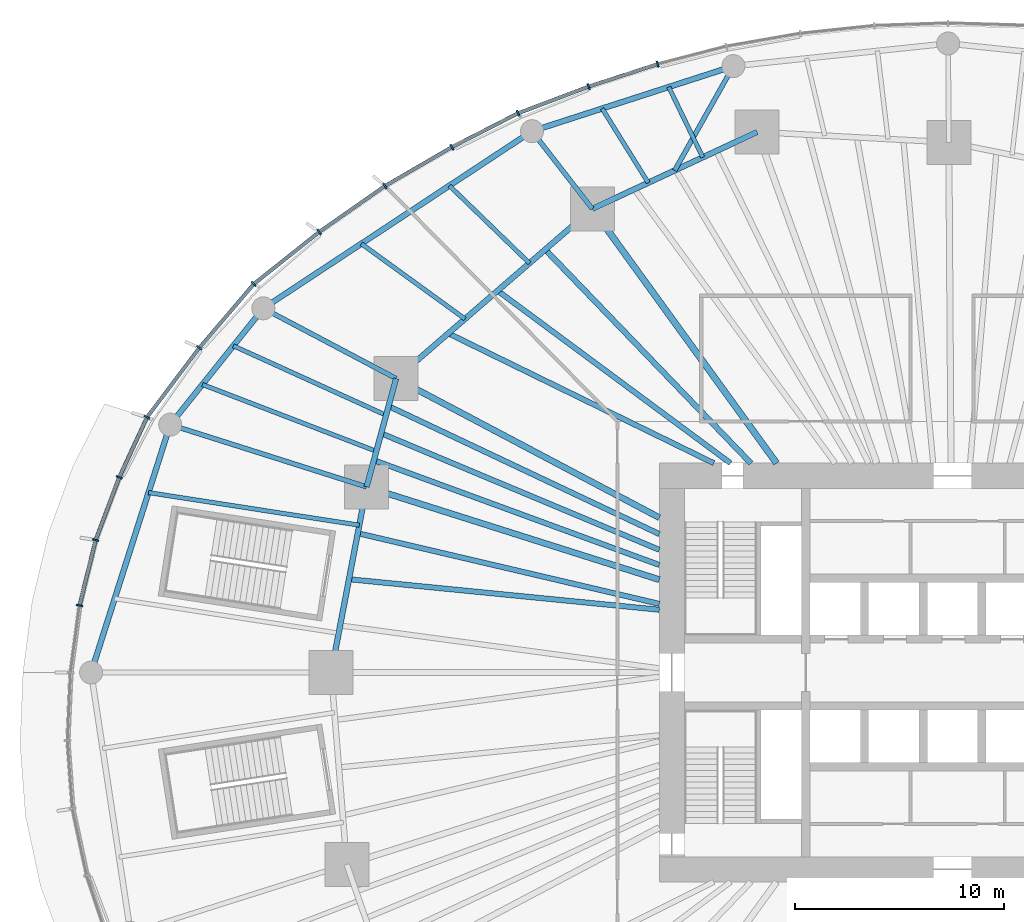
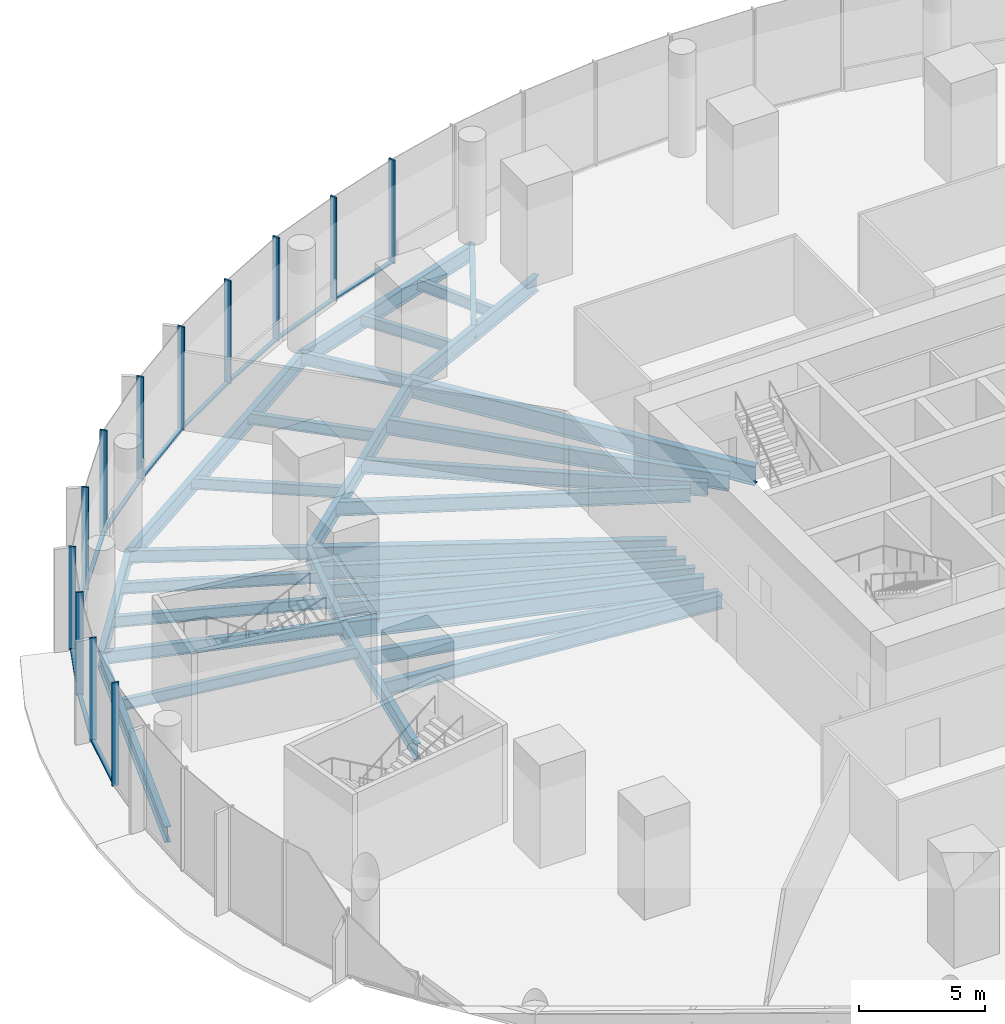
# One storey, part 5 of 28: 30 beams, 23 members, 4 elements without a shape of their own.
"""IFC4 building model written with IfcOpenShell, lengths in metres."""

from ifc_helpers import new_model, si_unit, direction, frame, origin, origin_2d, place, context, subcontext, project, spatial, rectangle, i_section, extrude, material, material_profile, profile_set, type_object, element, aggregate, save


model = new_model("IFC4")

# Units and contexts
model_context = context("Model", 3, precision=1e-05, world=origin(), true_north=direction((0.0, 1.0)))
body_context = subcontext(model_context, "Body", "Model", "MODEL_VIEW")
ifc_project = project(units=[si_unit("LENGTHUNIT", "METRE"), si_unit("AREAUNIT", "SQUARE_METRE"), si_unit("VOLUMEUNIT", "CUBIC_METRE"), si_unit("PLANEANGLEUNIT", "RADIAN"), si_unit("MASSUNIT", "GRAM", prefix="KILO")], contexts=[model_context])

# Site, building, storey
site_placement = place(None, origin())
site = spatial("IfcSite", under=ifc_project, at=site_placement, CompositionType="ELEMENT")
building_placement = place(site_placement, origin())
building = spatial("IfcBuilding", under=site, at=building_placement, Name="Ghaith Harvest Tower", CompositionType="ELEMENT")
storey_placement = place(building_placement, frame((0.0, 0.0, 5.0)))
storey = spatial("IfcBuildingStorey", under=building, at=storey_placement, Name="L01", CompositionType="ELEMENT", Elevation=5.0)

# Curtain wall, members
ifc_material_1 = material(Name="Black anodised aluminium and fritted glass", Category="aluminium")
curtain_wall_type = type_object("IfcCurtainWallType", Name="CW-P CURTAIN WALL", PredefinedType="NOTDEFINED", material=ifc_material_1)
curtain_wall_1_placement = place(storey_placement, origin())
curtain_wall_1 = element("IfcCurtainWall", 1, at=curtain_wall_1_placement, inside=storey, type_object=curtain_wall_type, Name="Curtain wall CW-P bay 07 L01", PredefinedType="NOTDEFINED")
ifc_material_2 = material(Name="Aluminium, black anodised", Category="aluminium")
ifc_material_profile_1 = material_profile(ifc_material_2, rectangle(XDim=0.080078125, YDim=0.300048828125, at=origin_2d()), Name="CW-P MULLION 80x300")
ifc_profile_set_1 = profile_set([ifc_material_profile_1], Name="Aluminium, black anodised")
member_type_1 = type_object("IfcMemberType", Name="CW-P MULLION 80x300", PredefinedType="MULLION", material=ifc_profile_set_1)
member_1_placement = place(storey_placement, frame((-14.079345703125, 29.059326171875, 0.0), z_axis=(0.0, 0.0, 1.0), x_axis=(-0.959733294702, -0.280912803269, 0.0)))
member_1 = element("IfcMember", 2, at=member_1_placement, type_object=member_type_1, Name="CW-P mullion 2 bay 07 L01", PredefinedType="MULLION", context=body_context, shape_type="SweptSolid", body=[
    extrude(rectangle(XDim=0.080078125, YDim=0.300048828125, at=origin_2d()), origin(), (0.0, 0.0, 1.0), 5.0),
])
member_2_placement = place(storey_placement, frame((-17.3798828125, 27.984619140625, 0.0), z_axis=(0.0, 0.0, 1.0), x_axis=(-0.94334262974, -0.331820256939, 0.0)))
member_2 = element("IfcMember", 3, at=member_2_placement, type_object=member_type_1, Name="CW-P mullion 3 bay 07 L01", PredefinedType="MULLION", context=body_context, shape_type="SweptSolid", body=[
    extrude(rectangle(XDim=0.080078125, YDim=0.300048828125, at=origin_2d()), origin(), (0.0, 0.0, 1.0), 5.0),
])

curtain_wall_2_placement = place(storey_placement, origin())
curtain_wall_2 = element("IfcCurtainWall", 4, at=curtain_wall_2_placement, inside=storey, type_object=curtain_wall_type, Name="Curtain wall CW-P bay 08 L01", PredefinedType="NOTDEFINED")
member_3_placement = place(storey_placement, frame((-20.7470703125, 26.714111328125, 0.0), z_axis=(0.0, 0.0, 1.0), x_axis=(-0.914421812296, -0.404762583741, 0.0)))
member_3 = element("IfcMember", 5, at=member_3_placement, type_object=member_type_1, Name="CW-P mullion 1 bay 08 L01", PredefinedType="MULLION", context=body_context, shape_type="SweptSolid", body=[
    extrude(rectangle(XDim=0.080078125, YDim=0.300048828125, at=origin_2d()), origin(), (0.0, 0.0, 1.0), 5.0),
])
member_4_placement = place(storey_placement, frame((-23.907958984375, 25.094970703125, 0.0), z_axis=(0.0, 0.0, 1.0), x_axis=(-0.877556447105, -0.479473338304, 0.0)))
member_4 = element("IfcMember", 6, at=member_4_placement, type_object=member_type_1, Name="CW-P mullion 2 bay 08 L01", PredefinedType="MULLION", context=body_context, shape_type="SweptSolid", body=[
    extrude(rectangle(XDim=0.080078125, YDim=0.300048828125, at=origin_2d()), origin(), (0.0, 0.0, 1.0), 5.0),
])
member_5_placement = place(storey_placement, frame((-27.105712890625, 23.23974609375, 0.0), z_axis=(0.0, 0.0, 1.0), x_axis=(-0.842539326136, -0.538634833551, 0.0)))
member_5 = element("IfcMember", 7, at=member_5_placement, type_object=member_type_1, Name="CW-P mullion 3 bay 08 L01", PredefinedType="MULLION", context=body_context, shape_type="SweptSolid", body=[
    extrude(rectangle(XDim=0.080078125, YDim=0.300048828125, at=origin_2d()), origin(), (0.0, 0.0, 1.0), 5.0),
])

curtain_wall_3_placement = place(storey_placement, origin())
curtain_wall_3 = element("IfcCurtainWall", 8, at=curtain_wall_3_placement, inside=storey, type_object=curtain_wall_type, Name="Curtain wall CW-P bay 09 L01", PredefinedType="NOTDEFINED")
member_6_placement = place(storey_placement, frame((-30.244140625, 21.044189453125, 0.0), z_axis=(0.0, 0.0, 1.0), x_axis=(-0.801048242274, -0.598599794144, 0.0)))
member_6 = element("IfcMember", 9, at=member_6_placement, type_object=member_type_1, Name="CW-P mullion 1 bay 09 L01", PredefinedType="MULLION", context=body_context, shape_type="SweptSolid", body=[
    extrude(rectangle(XDim=0.080078125, YDim=0.300048828125, at=origin_2d()), origin(), (0.0, 0.0, 1.0), 5.0),
])
member_7_placement = place(storey_placement, frame((-33.369384765625, 18.559326171875, 0.0), z_axis=(0.0, 0.0, 1.0), x_axis=(-0.719189125668, -0.694814364792, 0.0)))
member_7 = element("IfcMember", 10, at=member_7_placement, type_object=member_type_1, Name="CW-P mullion 2 bay 09 L01", PredefinedType="MULLION", context=body_context, shape_type="SweptSolid", body=[
    extrude(rectangle(XDim=0.080078125, YDim=0.300048828125, at=origin_2d()), origin(), (0.0, 0.0, 1.0), 5.0),
])
member_8_placement = place(storey_placement, frame((-35.967529296875, 15.5146484375, 0.0), z_axis=(0.0, 0.0, 1.0), x_axis=(-0.625229278886, -0.780441124509, 0.0)))
member_8 = element("IfcMember", 11, at=member_8_placement, type_object=member_type_1, Name="CW-P mullion 3 bay 09 L01", PredefinedType="MULLION", context=body_context, shape_type="SweptSolid", body=[
    extrude(rectangle(XDim=0.080078125, YDim=0.300048828125, at=origin_2d()), origin(), (0.0, 0.0, 1.0), 5.0),
])

curtain_wall_4_placement = place(storey_placement, origin())
curtain_wall_4 = element("IfcCurtainWall", 12, at=curtain_wall_4_placement, inside=storey, type_object=curtain_wall_type, Name="Curtain wall CW-P bay 10 L01", PredefinedType="NOTDEFINED")
member_9_placement = place(storey_placement, frame((-38.47021484375, 12.19189453125, 0.0), z_axis=(0.0, 0.0, 1.0), x_axis=(-0.526041997483, -0.850458592104, 0.0)))
member_9 = element("IfcMember", 13, at=member_9_placement, type_object=member_type_1, Name="CW-P mullion 1 bay 10 L01", PredefinedType="MULLION", context=body_context, shape_type="SweptSolid", body=[
    extrude(rectangle(XDim=0.080078125, YDim=0.300048828125, at=origin_2d()), origin(), (0.0, 0.0, 1.0), 5.0),
])
member_10_placement = place(storey_placement, frame((-39.7958984375, 9.325439453125, 0.0), z_axis=(0.0, 0.0, 1.0), x_axis=(-0.386148009644, -0.922436835045, 0.0)))
member_10 = element("IfcMember", 14, at=member_10_placement, type_object=member_type_1, Name="CW-P mullion 2 bay 10 L01", PredefinedType="MULLION", context=body_context, shape_type="SweptSolid", body=[
    extrude(rectangle(XDim=0.080078125, YDim=0.300048828125, at=origin_2d()), origin(), (0.0, 0.0, 1.0), 5.0),
])
member_11_placement = place(storey_placement, frame((-40.92431640625, 6.32958984375, 0.0), z_axis=(0.0, 0.0, 1.0), x_axis=(-0.295966287387, -0.955198386059, 0.0)))
member_11 = element("IfcMember", 15, at=member_11_placement, type_object=member_type_1, Name="CW-P mullion 3 bay 10 L01", PredefinedType="MULLION", context=body_context, shape_type="SweptSolid", body=[
    extrude(rectangle(XDim=0.080078125, YDim=0.300048828125, at=origin_2d()), origin(), (0.0, 0.0, 1.0), 5.0),
])
member_12_placement = place(storey_placement, frame((-41.6923828125, 3.205078125, 0.0), z_axis=(0.0, 0.0, 1.0), x_axis=(-0.185617368048, -0.982622100647, 0.0)))
member_12 = element("IfcMember", 16, at=member_12_placement, type_object=member_type_1, Name="CW-P mullion 4 bay 10 L01", PredefinedType="MULLION", context=body_context, shape_type="SweptSolid", body=[
    extrude(rectangle(XDim=0.080078125, YDim=0.300048828125, at=origin_2d()), origin(), (0.0, 0.0, 1.0), 5.0),
])

# Member
ifc_material_3 = material(Name="Aluminium, black anodised", Category="aluminium")
ifc_material_profile_2 = material_profile(ifc_material_3, rectangle(XDim=0.179931640625, YDim=0.080078125, at=origin_2d()), Name="CW-P TRANSOM 180x80")
ifc_profile_set_2 = profile_set([ifc_material_profile_2], Name="Aluminium, black anodised")
member_type_2 = type_object("IfcMemberType", Name="CW-P TRANSOM 180x80", PredefinedType="USERDEFINED", material=ifc_profile_set_2)
member_13_placement = place(storey_placement, frame((-14.117431640625, 29.046875, 0.0400390625), z_axis=(-0.950870445698, -0.309589075225, 0.0), x_axis=(0.309589075225, -0.950870445698, 0.0)))
member_13 = element("IfcMember", 17, at=member_13_placement, type_object=member_type_2, Name="CW-P transom 2 bay 07 L01", ObjectType="TRANSOM", PredefinedType="USERDEFINED", context=body_context, shape_type="SweptSolid", body=[
    extrude(rectangle(XDim=0.179931640625, YDim=0.080078125, at=origin_2d()), origin(), (0.0, 0.0, 1.0), 3.390869140625),
])

member_14_placement = place(storey_placement, frame((-17.417236328125, 27.970458984375, 0.0400390625), z_axis=(-0.935603016094, -0.353053814986, 0.0), x_axis=(0.353053814986, -0.935603016094, 0.0)))
member_14 = element("IfcMember", 18, at=member_14_placement, type_object=member_type_2, Name="CW-P transom 3 bay 07 L01", ObjectType="TRANSOM", PredefinedType="USERDEFINED", context=body_context, shape_type="SweptSolid", body=[
    extrude(rectangle(XDim=0.179931640625, YDim=0.080078125, at=origin_2d()), origin(), (0.0, 0.0, 1.0), 3.51904296875),
])

aggregate(curtain_wall_1, [member_1, member_13, member_2, member_14])

member_15_placement = place(storey_placement, frame((-20.78271484375, 26.69580078125, 0.0400390625), z_axis=(-0.890024573392, -0.455912556044, 0.0), x_axis=(0.455912556044, -0.890024573392, 0.0)))
member_15 = element("IfcMember", 19, at=member_15_placement, type_object=member_type_2, Name="CW-P transom 1 bay 08 L01", ObjectType="TRANSOM", PredefinedType="USERDEFINED", context=body_context, shape_type="SweptSolid", body=[
    extrude(rectangle(XDim=0.179931640625, YDim=0.080078125, at=origin_2d()), origin(), (0.0, 0.0, 1.0), 3.4716796875),
])

member_16_placement = place(storey_placement, frame((-23.942626953125, 25.07470703125, 0.0400390625), z_axis=(-0.864976107241, -0.501813046764, 0.0), x_axis=(0.501813046764, -0.864976107241, 0.0)))
member_16 = element("IfcMember", 20, at=member_16_placement, type_object=member_type_2, Name="CW-P transom 2 bay 08 L01", ObjectType="TRANSOM", PredefinedType="USERDEFINED", context=body_context, shape_type="SweptSolid", body=[
    extrude(rectangle(XDim=0.179931640625, YDim=0.080078125, at=origin_2d()), origin(), (0.0, 0.0, 1.0), 3.61669921875),
])

member_17_placement = place(storey_placement, frame((-27.138427734375, 23.216796875, 0.0400390625), z_axis=(-0.819412324627, -0.573204537883, 0.0), x_axis=(0.573204537883, -0.819412324627, 0.0)))
member_17 = element("IfcMember", 21, at=member_17_placement, type_object=member_type_2, Name="CW-P transom 3 bay 08 L01", ObjectType="TRANSOM", PredefinedType="USERDEFINED", context=body_context, shape_type="SweptSolid", body=[
    extrude(rectangle(XDim=0.179931640625, YDim=0.080078125, at=origin_2d()), origin(), (0.0, 0.0, 1.0), 3.750244140625),
])

aggregate(curtain_wall_2, [member_3, member_15, member_4, member_16, member_5, member_17])

member_18_placement = place(storey_placement, frame((-30.275634765625, 21.019287109375, 0.0400390625), z_axis=(-0.782703993378, -0.622394134573, 0.0), x_axis=(0.622394134573, -0.782703993378, 0.0)))
member_18 = element("IfcMember", 22, at=member_18_placement, type_object=member_type_2, Name="CW-P transom 1 bay 09 L01", ObjectType="TRANSOM", PredefinedType="USERDEFINED", context=body_context, shape_type="SweptSolid", body=[
    extrude(rectangle(XDim=0.179931640625, YDim=0.080078125, at=origin_2d()), origin(), (0.0, 0.0, 1.0), 3.912353515625),
])

member_19_placement = place(storey_placement, frame((-33.395263671875, 18.52880859375, 0.0400390625), z_axis=(-0.649170170726, -0.760643207713, 0.0), x_axis=(0.760643207713, -0.649170170726, 0.0)))
member_19 = element("IfcMember", 23, at=member_19_placement, type_object=member_type_2, Name="CW-P transom 2 bay 09 L01", ObjectType="TRANSOM", PredefinedType="USERDEFINED", context=body_context, shape_type="SweptSolid", body=[
    extrude(rectangle(XDim=0.179931640625, YDim=0.080078125, at=origin_2d()), origin(), (0.0, 0.0, 1.0), 3.922607421875),
])

member_20_placement = place(storey_placement, frame((-35.99169921875, 15.482666015625, 0.0400390625), z_axis=(-0.601645564397, -0.798763178195, 0.0), x_axis=(0.798763178195, -0.601645564397, 0.0)))
member_20 = element("IfcMember", 24, at=member_20_placement, type_object=member_type_2, Name="CW-P transom 3 bay 09 L01", ObjectType="TRANSOM", PredefinedType="USERDEFINED", context=body_context, shape_type="SweptSolid", body=[
    extrude(rectangle(XDim=0.179931640625, YDim=0.080078125, at=origin_2d()), origin(), (0.0, 0.0, 1.0), 4.079833984375),
])

aggregate(curtain_wall_3, [member_6, member_18, member_7, member_19, member_8, member_20])

member_21_placement = place(storey_placement, frame((-38.487060546875, 12.155517578125, 0.0400390625), z_axis=(-0.419752186431, -0.907638750818, 0.0), x_axis=(0.907638750818, -0.419752186431, 0.0)))
member_21 = element("IfcMember", 25, at=member_21_placement, type_object=member_type_2, Name="CW-P transom 1 bay 10 L01", ObjectType="TRANSOM", PredefinedType="USERDEFINED", context=body_context, shape_type="SweptSolid", body=[
    extrude(rectangle(XDim=0.179931640625, YDim=0.080078125, at=origin_2d()), origin(), (0.0, 0.0, 1.0), 3.077880859375),
])

member_22_placement = place(storey_placement, frame((-39.81005859375, 9.2880859375, 0.0400390625), z_axis=(-0.352460327868, -0.935826756018, 0.0), x_axis=(0.935826756018, -0.352460327868, 0.0)))
member_22 = element("IfcMember", 26, at=member_22_placement, type_object=member_type_2, Name="CW-P transom 2 bay 10 L01", ObjectType="TRANSOM", PredefinedType="USERDEFINED", context=body_context, shape_type="SweptSolid", body=[
    extrude(rectangle(XDim=0.179931640625, YDim=0.080078125, at=origin_2d()), origin(), (0.0, 0.0, 1.0), 3.12109375),
])

member_23_placement = place(storey_placement, frame((-40.933837890625, 6.290771484375, 0.0400390625), z_axis=(-0.238743611692, -0.971082636997, 0.0), x_axis=(0.971082636997, -0.238743611692, 0.0)))
member_23 = element("IfcMember", 27, at=member_23_placement, type_object=member_type_2, Name="CW-P transom 3 bay 10 L01", ObjectType="TRANSOM", PredefinedType="USERDEFINED", context=body_context, shape_type="SweptSolid", body=[
    extrude(rectangle(XDim=0.179931640625, YDim=0.080078125, at=origin_2d()), origin(), (0.0, 0.0, 1.0), 3.137451171875),
])

aggregate(curtain_wall_4, [member_9, member_21, member_10, member_22, member_11, member_23, member_12])

# Beams
ifc_material_4 = material(Name="Steel ASTM A992 Grade 50", Category="steel")
ifc_material_profile_3 = material_profile(ifc_material_4, i_section(OverallWidth=0.26806640625, OverallDepth=0.77001953125, WebThickness=0.015625, FlangeThickness=0.025390625, at=origin_2d()), Name="W760X196")
ifc_profile_set_3 = profile_set([ifc_material_profile_3], Name="Steel ASTM A992 Grade 50")
beam_type_1 = type_object("IfcBeamType", Name="E760-196 W760X196", PredefinedType="SPANDREL", material=ifc_profile_set_3)
beam_1_placement = place(storey_placement, frame((-9.325927734375, 25.821044921875, -0.635009765625), z_axis=(-0.906373259523, -0.422477827137, 0.0), x_axis=(0.422477827137, -0.906373259523, 0.0)))
element("IfcBeam", 28, at=beam_1_placement, inside=storey, type_object=beam_type_1, Name="Edge beam E07 L01", PredefinedType="SPANDREL", context=body_context, shape_type="SweptSolid", body=[
    extrude(i_section(OverallWidth=0.26806640625, OverallDepth=0.77001953125, WebThickness=0.015625, FlangeThickness=0.025390625, at=origin_2d()), origin(), (0.0, 0.0, 1.0), 8.689453125),
])
beam_2_placement = place(storey_placement, frame((-17.201904296875, 22.14990234375, -0.635009765625), z_axis=(-0.756392158274, -0.654118416574, 0.0), x_axis=(0.654118416574, -0.756392158274, 0.0)))
element("IfcBeam", 29, at=beam_2_placement, inside=storey, type_object=beam_type_1, Name="Edge beam E08 L01", PredefinedType="SPANDREL", context=body_context, shape_type="SweptSolid", body=[
    extrude(i_section(OverallWidth=0.26806640625, OverallDepth=0.77001953125, WebThickness=0.015625, FlangeThickness=0.025390625, at=origin_2d()), origin(), (0.0, 0.0, 1.0), 12.38916015625),
])
beam_3_placement = place(storey_placement, frame((-26.572998046875, 14.0458984375, -0.635009765625), z_axis=(-0.262724740433, -0.964870825947, 0.0), x_axis=(0.964870825947, -0.262724740433, 0.0)))
element("IfcBeam", 30, at=beam_3_placement, inside=storey, type_object=beam_type_1, Name="Edge beam E09 L01", PredefinedType="SPANDREL", context=body_context, shape_type="SweptSolid", body=[
    extrude(i_section(OverallWidth=0.26806640625, OverallDepth=0.77001953125, WebThickness=0.015625, FlangeThickness=0.025390625, at=origin_2d()), origin(), (0.0, 0.0, 1.0), 5.366455078125),
])
beam_4_placement = place(storey_placement, frame((-27.98291015625, 8.867919921875, -0.635009765625), z_axis=(-0.187433949108, -0.982277208695, 0.0), x_axis=(0.982277208695, -0.187433949108, 0.0)))
element("IfcBeam", 31, at=beam_4_placement, inside=storey, type_object=beam_type_1, Name="Edge beam E10 L01", PredefinedType="SPANDREL", context=body_context, shape_type="SweptSolid", body=[
    extrude(i_section(OverallWidth=0.26806640625, OverallDepth=0.77001953125, WebThickness=0.015625, FlangeThickness=0.025390625, at=origin_2d()), origin(), (0.0, 0.0, 1.0), 9.02783203125),
])
beam_5_placement = place(storey_placement, frame((-10.4619140625, 28.967041015625, -0.635009765625), z_axis=(-0.951538911148, -0.307528373603, 0.0), x_axis=(0.307528373603, -0.951538911148, 0.0)))
element("IfcBeam", 32, at=beam_5_placement, inside=storey, type_object=beam_type_1, Name="Podium edge beam PE07 L01", PredefinedType="SPANDREL", context=body_context, shape_type="SweptSolid", body=[
    extrude(i_section(OverallWidth=0.26806640625, OverallDepth=0.77001953125, WebThickness=0.015625, FlangeThickness=0.025390625, at=origin_2d()), origin(), (0.0, 0.0, 1.0), 10.110107421875),
])
beam_6_placement = place(storey_placement, frame((-20.08203125, 25.85791015625, -0.635009765625), z_axis=(-0.834903131348, -0.550396912478, 0.0), x_axis=(0.550396912478, -0.834903131348, 0.0)))
element("IfcBeam", 33, at=beam_6_placement, inside=storey, type_object=beam_type_1, Name="Podium edge beam PE08 L01", PredefinedType="SPANDREL", context=body_context, shape_type="SweptSolid", body=[
    extrude(i_section(OverallWidth=0.26806640625, OverallDepth=0.77001953125, WebThickness=0.015625, FlangeThickness=0.025390625, at=origin_2d()), origin(), (0.0, 0.0, 1.0), 15.37060546875),
])
beam_7_placement = place(storey_placement, frame((-32.9150390625, 17.39794921875, -0.635009765625), z_axis=(-0.624908352368, -0.780698117803, 0.0), x_axis=(0.780698117803, -0.624908352368, 0.0)))
element("IfcBeam", 34, at=beam_7_placement, inside=storey, type_object=beam_type_1, Name="Podium edge beam PE09 L01", PredefinedType="SPANDREL", context=body_context, shape_type="SweptSolid", body=[
    extrude(i_section(OverallWidth=0.26806640625, OverallDepth=0.77001953125, WebThickness=0.015625, FlangeThickness=0.025390625, at=origin_2d()), origin(), (0.0, 0.0, 1.0), 7.117919921875),
])
beam_8_placement = place(storey_placement, frame((-37.363037109375, 11.841064453125, -0.635009765625), z_axis=(-0.304039415226, -0.952659453314, 0.0), x_axis=(0.952659453314, -0.304039415226, 0.0)))
element("IfcBeam", 35, at=beam_8_placement, inside=storey, type_object=beam_type_1, Name="Podium edge beam PE10 L01", PredefinedType="SPANDREL", context=body_context, shape_type="SweptSolid", body=[
    extrude(i_section(OverallWidth=0.26806640625, OverallDepth=0.77001953125, WebThickness=0.015625, FlangeThickness=0.025390625, at=origin_2d()), origin(), (0.0, 0.0, 1.0), 12.429443359375),
])
ifc_material_5 = material(Name="Steel ASTM A992 Grade 50", Category="steel")
ifc_material_profile_4 = material_profile(ifc_material_5, i_section(OverallWidth=0.22802734375, OverallDepth=0.60302734375, WebThickness=0.010498046875, FlangeThickness=0.014892578125, at=origin_2d()), Name="W610X101")
ifc_profile_set_4 = profile_set([ifc_material_profile_4], Name="Steel ASTM A992 Grade 50")
beam_type_2 = type_object("IfcBeamType", Name="G610-101 W610X101", PredefinedType="BEAM", material=ifc_profile_set_4)
beam_9_placement = place(storey_placement, frame((-13.263916015625, 23.985595703125, -0.551513671875), z_axis=(0.490253127348, 0.871580100235, 0.0), x_axis=(-0.871580100235, 0.490253127348, 0.0)))
element("IfcBeam", 36, at=beam_9_placement, inside=storey, type_object=beam_type_2, Name="Podium radial beam PR07 L01", PredefinedType="BEAM", context=body_context, shape_type="SweptSolid", body=[
    extrude(i_section(OverallWidth=0.22802734375, OverallDepth=0.60302734375, WebThickness=0.010498046875, FlangeThickness=0.014892578125, at=origin_2d()), origin(), (0.0, 0.0, 1.0), 5.71533203125),
])
beam_10_placement = place(storey_placement, frame((-17.201904296875, 22.14990234375, -0.551513671875), z_axis=(-0.613425698315, 0.789752437569, 0.0), x_axis=(-0.789752437569, -0.613425698315, 0.0)))
element("IfcBeam", 37, at=beam_10_placement, inside=storey, type_object=beam_type_2, Name="Podium radial beam PR08 L01", PredefinedType="BEAM", context=body_context, shape_type="SweptSolid", body=[
    extrude(i_section(OverallWidth=0.22802734375, OverallDepth=0.60302734375, WebThickness=0.010498046875, FlangeThickness=0.014892578125, at=origin_2d()), origin(), (0.0, 0.0, 1.0), 4.695068359375),
])
beam_11_placement = place(storey_placement, frame((-26.572998046875, 14.0458984375, -0.551513671875), z_axis=(-0.8841047828, 0.467288704155, 0.0), x_axis=(-0.467288704155, -0.8841047828, 0.0)))
element("IfcBeam", 38, at=beam_11_placement, inside=storey, type_object=beam_type_2, Name="Podium radial beam PR09 L01", PredefinedType="BEAM", context=body_context, shape_type="SweptSolid", body=[
    extrude(i_section(OverallWidth=0.22802734375, OverallDepth=0.60302734375, WebThickness=0.010498046875, FlangeThickness=0.014892578125, at=origin_2d()), origin(), (0.0, 0.0, 1.0), 7.17333984375),
])
beam_12_placement = place(storey_placement, frame((-27.98291015625, 8.867919921875, -0.551513671875), z_axis=(-0.953261143594, 0.302147632979, 0.0), x_axis=(-0.302147632979, -0.953261143594, 0.0)))
element("IfcBeam", 39, at=beam_12_placement, inside=storey, type_object=beam_type_2, Name="Podium radial beam PR10 L01", PredefinedType="BEAM", context=body_context, shape_type="SweptSolid", body=[
    extrude(i_section(OverallWidth=0.22802734375, OverallDepth=0.60302734375, WebThickness=0.010498046875, FlangeThickness=0.014892578125, at=origin_2d()), origin(), (0.0, 0.0, 1.0), 9.840087890625),
])
ifc_material_6 = material(Name="Steel ASTM A992 Grade 50", Category="steel")
ifc_material_profile_5 = material_profile(ifc_material_6, i_section(OverallWidth=0.2939453125, OverallDepth=0.85107421875, WebThickness=0.01611328125, FlangeThickness=0.02685546875, at=origin_2d()), Name="W840X226")
ifc_profile_set_5 = profile_set([ifc_material_profile_5], Name="Steel ASTM A992 Grade 50")
beam_type_3 = type_object("IfcBeamType", Name="G840-226 W840X226", PredefinedType="BEAM", material=ifc_profile_set_5)
beam_13_placement = place(storey_placement, frame((-14.0, 7.39990234375, -0.675537109375), z_axis=(-0.88408713845, 0.467322085533, 0.0), x_axis=(-0.467322085533, -0.88408713845, 0.0)))
element("IfcBeam", 40, at=beam_13_placement, inside=storey, type_object=beam_type_3, Name="Radial girder G09 L01", PredefinedType="BEAM", context=body_context, shape_type="SweptSolid", body=[
    extrude(i_section(OverallWidth=0.2939453125, OverallDepth=0.85107421875, WebThickness=0.01611328125, FlangeThickness=0.02685546875, at=origin_2d()), origin(), (0.0, 0.0, 1.0), 14.221435546875),
])
beam_14_placement = place(storey_placement, frame((-14.0, 4.43701171875, -0.675537109375), z_axis=(-0.953283605796, 0.302076756671, 0.0), x_axis=(-0.302076756671, -0.953283605796, 0.0)))
element("IfcBeam", 41, at=beam_14_placement, inside=storey, type_object=beam_type_3, Name="Radial girder G10 L01", PredefinedType="BEAM", context=body_context, shape_type="SweptSolid", body=[
    extrude(i_section(OverallWidth=0.2939453125, OverallDepth=0.85107421875, WebThickness=0.01611328125, FlangeThickness=0.02685546875, at=origin_2d()), origin(), (0.0, 0.0, 1.0), 14.668212890625),
])
ifc_material_7 = material(Name="Steel ASTM A992 Grade 50", Category="steel")
ifc_material_profile_6 = material_profile(ifc_material_7, i_section(OverallWidth=0.31005859375, OverallDepth=0.927001953125, WebThickness=0.019287109375, FlangeThickness=0.031982421875, at=origin_2d()), Name="W920X289")
ifc_profile_set_6 = profile_set([ifc_material_profile_6], Name="Steel ASTM A992 Grade 50")
beam_type_4 = type_object("IfcBeamType", Name="G920-289 W920X289", PredefinedType="BEAM", material=ifc_profile_set_6)
beam_15_placement = place(storey_placement, frame((-8.39990234375, 10.0, -0.71337890625), z_axis=(-0.586675813287, 0.809821887889, 0.0), x_axis=(-0.809821887889, -0.586675813287, 0.0)))
element("IfcBeam", 42, at=beam_15_placement, inside=storey, type_object=beam_type_4, Name="Radial girder G08 L01", PredefinedType="BEAM", context=body_context, shape_type="SweptSolid", body=[
    extrude(i_section(OverallWidth=0.31005859375, OverallDepth=0.927001953125, WebThickness=0.019287109375, FlangeThickness=0.031982421875, at=origin_2d()), origin(), (0.0, 0.0, 1.0), 15.003173828125),
])
ifc_material_8 = material(Name="Steel ASTM A992 Grade 50", Category="steel")
ifc_material_profile_7 = material_profile(ifc_material_8, i_section(OverallWidth=0.208984375, OverallDepth=0.532958984375, WebThickness=0.01025390625, FlangeThickness=0.015625, at=origin_2d()), Name="W530X92")
ifc_profile_set_7 = profile_set([ifc_material_profile_7], Name="Steel ASTM A992 Grade 50")
beam_type_5 = type_object("IfcBeamType", Name="J530-92 W530X92", PredefinedType="JOIST", material=ifc_profile_set_7)
beam_16_placement = place(storey_placement, frame((-11.923828125, 24.610107421875, -0.5166015625), z_axis=(-0.436005446991, 0.899944026145, 0.0), x_axis=(-0.899944026145, -0.436005446991, 0.0)))
element("IfcBeam", 43, at=beam_16_placement, inside=storey, type_object=beam_type_5, Name="Podium joist PJ07.1 L01", PredefinedType="JOIST", context=body_context, shape_type="SweptSolid", body=[
    extrude(i_section(OverallWidth=0.208984375, OverallDepth=0.532958984375, WebThickness=0.01025390625, FlangeThickness=0.015625, at=origin_2d()), origin(), (0.0, 0.0, 1.0), 3.732177734375),
])
beam_17_placement = place(storey_placement, frame((-14.52978515625, 23.3955078125, -0.5166015625), z_axis=(-0.527546331282, 0.849526261131, 0.0), x_axis=(-0.849526261131, -0.527546331282, 0.0)))
element("IfcBeam", 44, at=beam_17_placement, inside=storey, type_object=beam_type_5, Name="Podium joist PJ07.2 L01", PredefinedType="JOIST", context=body_context, shape_type="SweptSolid", body=[
    extrude(i_section(OverallWidth=0.208984375, OverallDepth=0.532958984375, WebThickness=0.01025390625, FlangeThickness=0.015625, at=origin_2d()), origin(), (0.0, 0.0, 1.0), 4.17333984375),
])
beam_18_placement = place(storey_placement, frame((-20.203857421875, 19.55419921875, -0.5166015625), z_axis=(-0.718570348361, 0.695454279199, 0.0), x_axis=(-0.695454279199, -0.718570348361, 0.0)))
element("IfcBeam", 45, at=beam_18_placement, inside=storey, type_object=beam_type_5, Name="Podium joist PJ08.1 L01", PredefinedType="JOIST", context=body_context, shape_type="SweptSolid", body=[
    extrude(i_section(OverallWidth=0.208984375, OverallDepth=0.532958984375, WebThickness=0.01025390625, FlangeThickness=0.015625, at=origin_2d()), origin(), (0.0, 0.0, 1.0), 5.322998046875),
])
beam_19_placement = place(storey_placement, frame((-23.2822265625, 16.891845703125, -0.5166015625), z_axis=(-0.809415524638, 0.587236331025, 0.0), x_axis=(-0.587236331025, -0.809415524638, 0.0)))
element("IfcBeam", 46, at=beam_19_placement, inside=storey, type_object=beam_type_5, Name="Podium joist PJ08.2 L01", PredefinedType="JOIST", context=body_context, shape_type="SweptSolid", body=[
    extrude(i_section(OverallWidth=0.208984375, OverallDepth=0.532958984375, WebThickness=0.01025390625, FlangeThickness=0.015625, at=origin_2d()), origin(), (0.0, 0.0, 1.0), 6.1171875),
])
beam_20_placement = place(storey_placement, frame((-27.051025390625, 12.29052734375, -0.5166015625), z_axis=(-0.910432176639, 0.413658375644, 0.0), x_axis=(-0.413658375644, -0.910432176639, 0.0)))
element("IfcBeam", 47, at=beam_20_placement, inside=storey, type_object=beam_type_5, Name="Podium joist PJ09.1 L01", PredefinedType="JOIST", context=body_context, shape_type="SweptSolid", body=[
    extrude(i_section(OverallWidth=0.208984375, OverallDepth=0.532958984375, WebThickness=0.01025390625, FlangeThickness=0.015625, at=origin_2d()), origin(), (0.0, 0.0, 1.0), 8.01611328125),
])
beam_21_placement = place(storey_placement, frame((-27.519775390625, 10.569091796875, -0.5166015625), z_axis=(-0.933526495842, 0.358508412121, 0.0), x_axis=(-0.358508412121, -0.933526495842, 0.0)))
element("IfcBeam", 48, at=beam_21_placement, inside=storey, type_object=beam_type_5, Name="Podium joist PJ09.2 L01", PredefinedType="JOIST", context=body_context, shape_type="SweptSolid", body=[
    extrude(i_section(OverallWidth=0.208984375, OverallDepth=0.532958984375, WebThickness=0.01025390625, FlangeThickness=0.015625, at=origin_2d()), origin(), (0.0, 0.0, 1.0), 8.899169921875),
])
beam_22_placement = place(storey_placement, frame((-28.33203125, 7.038330078125, -0.5166015625), z_axis=(-0.988251416941, 0.152836961872, 0.0), x_axis=(-0.152836961872, -0.988251416941, 0.0)))
element("IfcBeam", 49, at=beam_22_placement, inside=storey, type_object=beam_type_5, Name="Podium joist PJ10.1 L01", PredefinedType="JOIST", context=body_context, shape_type="SweptSolid", body=[
    extrude(i_section(OverallWidth=0.208984375, OverallDepth=0.532958984375, WebThickness=0.01025390625, FlangeThickness=0.015625, at=origin_2d()), origin(), (0.0, 0.0, 1.0), 10.1865234375),
])
ifc_material_9 = material(Name="Steel ASTM A992 Grade 50", Category="steel")
ifc_material_profile_8 = material_profile(ifc_material_9, i_section(OverallWidth=0.25390625, OverallDepth=0.68408203125, WebThickness=0.012451171875, FlangeThickness=0.018798828125, at=origin_2d()), Name="W690X140")
ifc_profile_set_8 = profile_set([ifc_material_profile_8], Name="Steel ASTM A992 Grade 50")
beam_type_6 = type_object("IfcBeamType", Name="J690-140 W690X140", PredefinedType="JOIST", material=ifc_profile_set_8)
beam_23_placement = place(storey_placement, frame((-10.60009765625, 10.0, -0.592041015625), z_axis=(-0.803663089107, 0.595084564752, 0.0), x_axis=(-0.595084564752, -0.803663089107, 0.0)))
element("IfcBeam", 50, at=beam_23_placement, inside=storey, type_object=beam_type_6, Name="Joist J08.2 L01", PredefinedType="JOIST", context=body_context, shape_type="SweptSolid", body=[
    extrude(i_section(OverallWidth=0.25390625, OverallDepth=0.68408203125, WebThickness=0.012451171875, FlangeThickness=0.018798828125, at=origin_2d()), origin(), (0.0, 0.0, 1.0), 13.843505859375),
])
beam_24_placement = place(storey_placement, frame((-11.39990234375, 10.0, -0.592041015625), z_axis=(-0.898274832354, 0.439434096946, 0.0), x_axis=(-0.439434096946, -0.898274832354, 0.0)))
element("IfcBeam", 51, at=beam_24_placement, inside=storey, type_object=beam_type_6, Name="Joist J08.3 L01", PredefinedType="JOIST", context=body_context, shape_type="SweptSolid", body=[
    extrude(i_section(OverallWidth=0.25390625, OverallDepth=0.68408203125, WebThickness=0.012451171875, FlangeThickness=0.018798828125, at=origin_2d()), origin(), (0.0, 0.0, 1.0), 14.114990234375),
])
beam_25_placement = place(storey_placement, frame((-14.0, 6.614990234375, -0.592041015625), z_axis=(-0.904153428261, 0.427207886354, 0.0), x_axis=(-0.427207886354, -0.904153428261, 0.0)))
element("IfcBeam", 52, at=beam_25_placement, inside=storey, type_object=beam_type_6, Name="Joist J09.1 L01", PredefinedType="JOIST", context=body_context, shape_type="SweptSolid", body=[
    extrude(i_section(OverallWidth=0.25390625, OverallDepth=0.68408203125, WebThickness=0.012451171875, FlangeThickness=0.018798828125, at=origin_2d()), origin(), (0.0, 0.0, 1.0), 14.303466796875),
])
beam_26_placement = place(storey_placement, frame((-14.0, 5.862548828125, -0.592041015625), z_axis=(-0.922385943167, 0.38626955853, 0.0), x_axis=(-0.38626955853, -0.922385943167, 0.0)))
element("IfcBeam", 53, at=beam_26_placement, inside=storey, type_object=beam_type_6, Name="Joist J09.2 L01", PredefinedType="JOIST", context=body_context, shape_type="SweptSolid", body=[
    extrude(i_section(OverallWidth=0.25390625, OverallDepth=0.68408203125, WebThickness=0.012451171875, FlangeThickness=0.018798828125, at=origin_2d()), origin(), (0.0, 0.0, 1.0), 14.404296875),
])
beam_27_placement = place(storey_placement, frame((-14.0, 5.137939453125, -0.592041015625), z_axis=(-0.93877541132, 0.344529718748, 0.0), x_axis=(-0.344529718748, -0.93877541132, 0.0)))
element("IfcBeam", 54, at=beam_27_placement, inside=storey, type_object=beam_type_6, Name="Joist J09.3 L01", PredefinedType="JOIST", context=body_context, shape_type="SweptSolid", body=[
    extrude(i_section(OverallWidth=0.25390625, OverallDepth=0.68408203125, WebThickness=0.012451171875, FlangeThickness=0.018798828125, at=origin_2d()), origin(), (0.0, 0.0, 1.0), 14.525390625),
])
beam_28_placement = place(storey_placement, frame((-14.0, 3.280517578125, -0.592041015625), z_axis=(-0.973623012228, 0.228162727151, 0.0), x_axis=(-0.228162727151, -0.973623012228, 0.0)))
element("IfcBeam", 55, at=beam_28_placement, inside=storey, type_object=beam_type_6, Name="Joist J10.1 L01", PredefinedType="JOIST", context=body_context, shape_type="SweptSolid", body=[
    extrude(i_section(OverallWidth=0.25390625, OverallDepth=0.68408203125, WebThickness=0.012451171875, FlangeThickness=0.018798828125, at=origin_2d()), origin(), (0.0, 0.0, 1.0), 14.795166015625),
])
beam_29_placement = place(storey_placement, frame((-14.0, 3.0, -0.592041015625), z_axis=(-0.995196704135, 0.097895454848, 0.0), x_axis=(-0.097895454848, -0.995196704135, 0.0)))
element("IfcBeam", 56, at=beam_29_placement, inside=storey, type_object=beam_type_6, Name="Joist J10.2 L01", PredefinedType="JOIST", context=body_context, shape_type="SweptSolid", body=[
    extrude(i_section(OverallWidth=0.25390625, OverallDepth=0.68408203125, WebThickness=0.012451171875, FlangeThickness=0.018798828125, at=origin_2d()), origin(), (0.0, 0.0, 1.0), 14.89599609375),
])
ifc_material_10 = material(Name="Steel ASTM A992 Grade 50", Category="steel")
ifc_material_profile_9 = material_profile(ifc_material_10, i_section(OverallWidth=0.26806640625, OverallDepth=0.77001953125, WebThickness=0.015625, FlangeThickness=0.025390625, at=origin_2d()), Name="W760X196")
ifc_profile_set_9 = profile_set([ifc_material_profile_9], Name="Steel ASTM A992 Grade 50")
beam_type_7 = type_object("IfcBeamType", Name="J760-196 W760X196", PredefinedType="JOIST", material=ifc_profile_set_9)
beam_30_placement = place(storey_placement, frame((-9.626708984375, 10.0, -0.635009765625), z_axis=(-0.693535693616, 0.720422266231, 0.0), x_axis=(-0.720422266231, -0.693535693616, 0.0)))
element("IfcBeam", 57, at=beam_30_placement, inside=storey, type_object=beam_type_7, Name="Joist J08.1 L01", PredefinedType="JOIST", context=body_context, shape_type="SweptSolid", body=[
    extrude(i_section(OverallWidth=0.26806640625, OverallDepth=0.77001953125, WebThickness=0.015625, FlangeThickness=0.025390625, at=origin_2d()), origin(), (0.0, 0.0, 1.0), 14.16552734375),
])

save(model, "model.ifc")
